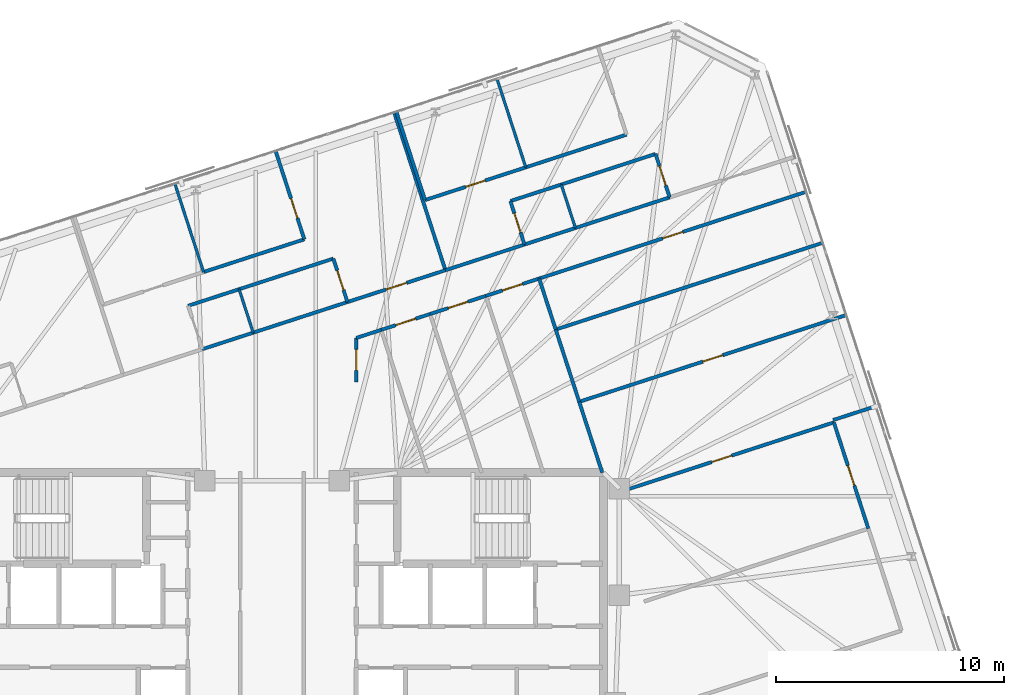
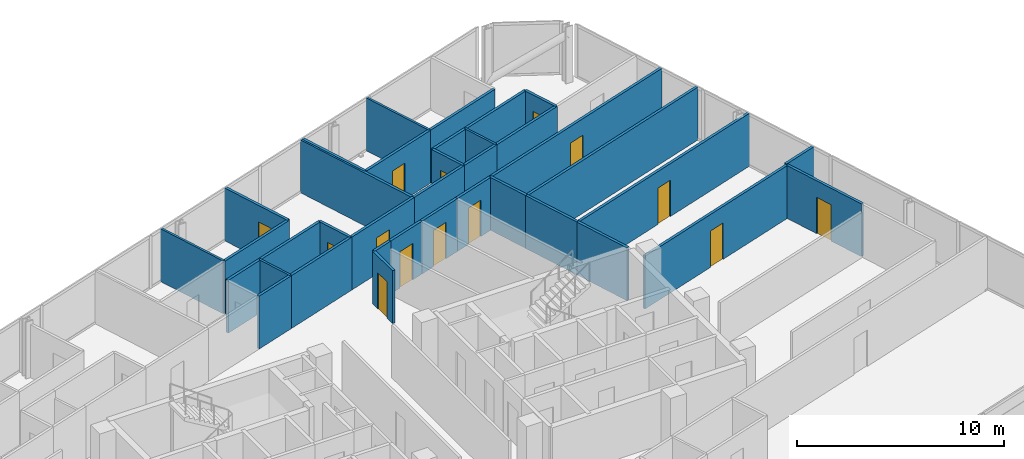
# One storey, part 17 of 20: 37 walls, 14 doors, 14 openings.
"""IFC4 building model written with IfcOpenShell, lengths in metres."""

from ifc_helpers import new_model, si_unit, direction, frame, frame_2d, origin, place, context, subcontext, project, spatial, rectangle, extrude, material, layer, layer_set, type_object, element, fill, save


model = new_model("IFC4")

# Units and contexts
model_context = context("Model", 3, precision=1e-05, world=origin(), true_north=direction((0.0, 1.0)))
body_context = subcontext(model_context, "Body", "Model", "MODEL_VIEW")
ifc_project = project(units=[si_unit("LENGTHUNIT", "METRE"), si_unit("AREAUNIT", "SQUARE_METRE"), si_unit("VOLUMEUNIT", "CUBIC_METRE"), si_unit("PLANEANGLEUNIT", "RADIAN"), si_unit("MASSUNIT", "GRAM", prefix="KILO")], contexts=[model_context])

# Site, building, storey
site_placement = place(None, origin())
site = spatial("IfcSite", under=ifc_project, at=site_placement, CompositionType="ELEMENT")
building_placement = place(site_placement, origin())
building = spatial("IfcBuilding", under=site, at=building_placement, Name="Menara Jurai Vektor", CompositionType="ELEMENT")
storey_placement = place(building_placement, frame((0.0, 0.0, 224.300048828125)))
storey = spatial("IfcBuildingStorey", under=building, at=storey_placement, Name="L59", CompositionType="ELEMENT", Elevation=224.300048828125)

# Wall, opening, door
ifc_material_1 = material(Name="Gypsum Fireboard Partition", Category="gypsum")
ifc_layer_1 = layer(ifc_material_1, 0.14990234375)
ifc_layer_set_1 = layer_set([ifc_layer_1], Name="Gypsum Fireboard Partition")
wall_type_1 = type_object("IfcWallType", Name="INT-WALL-CORR-150", PredefinedType="PARTITIONING", material=ifc_layer_set_1)
wall_1_placement = place(storey_placement, frame((3.31396484375, 13.092041015625, 0.0), z_axis=(0.0, 0.0, 1.0), x_axis=(0.951068976929, 0.308978641858, 0.0)))
wall_1 = element("IfcWall", 1, at=wall_1_placement, inside=storey, type_object=wall_type_1, Name="Interior Wall IW-150 L59", PredefinedType="PARTITIONING", context=body_context, shape_type="SweptSolid", body=[
    extrude(rectangle(XDim=4.52197265625, YDim=0.14990234375, at=frame_2d((2.260986328125, 0.0))), origin(), (0.0, 0.0, 1.0), 3.125),
])
opening_1_placement = place(wall_1_placement, frame((1.785888671875, 0.0, 0.0)))
opening_1 = element("IfcOpeningElement", 2, at=opening_1_placement, cuts=wall_1, Name="Opening D59-20", PredefinedType="OPENING", context=body_context, shape_type="SweptSolid", body=[
    extrude(rectangle(XDim=0.949951171875, YDim=2.14990234375, at=frame_2d((0.47509765625, 1.074951171875))), frame((0.0, 0.0849609375, 0.0), z_axis=(0.0, -1.0, 0.0), x_axis=(1.0, 0.0, 0.0)), (0.0, 0.0, 1.0), 0.169921875),
])
ifc_material_2 = material(Name="Solid Core Timber Fire Door", Category="wood")
door_type_1 = type_object("IfcDoorType", Name="DR-ENTRY-950", OperationType="NOTDEFINED", PredefinedType="DOOR", material=ifc_material_2)
door_1_placement = place(opening_1_placement, origin())
door_1 = element("IfcDoor", 3, at=door_1_placement, inside=storey, type_object=door_type_1, Name="Interior Door D59-20", OperationType="SINGLE_SWING_RIGHT", OverallHeight=2.14990234375, OverallWidth=0.949951171875, PredefinedType="DOOR", context=body_context, shape_type="SweptSolid", body=[
    extrude(rectangle(XDim=0.949951171875, YDim=2.14990234375, at=frame_2d((0.47509765625, 1.074951171875))), frame((0.0, 0.02490234375, 0.0), z_axis=(0.0, -1.0, 0.0), x_axis=(1.0, 0.0, 0.0)), (0.0, 0.0, 1.0), 0.050048828125),
])
fill(opening_1, door_1)

# Walls
wall_2_placement = place(storey_placement, frame((-3.05810546875, 11.021484375, 0.0), z_axis=(0.0, 0.0, 1.0), x_axis=(0.951045519245, 0.309050837767, 0.0)))
element("IfcWall", 4, at=wall_2_placement, inside=storey, type_object=wall_type_1, Name="Interior Wall IW-150 L59", PredefinedType="PARTITIONING", context=body_context, shape_type="SweptSolid", body=[
    extrude(rectangle(XDim=2.35009765625, YDim=0.14990234375, at=frame_2d((1.175048828125, 0.0))), origin(), (0.0, 0.0, 1.0), 3.125),
])
wall_3_placement = place(storey_placement, frame((-0.822998046875, 11.747802734375, 0.0), z_axis=(0.0, 0.0, 1.0), x_axis=(0.951052627573, 0.309028962374, 0.0)))
element("IfcWall", 5, at=wall_3_placement, inside=storey, type_object=wall_type_1, Name="Interior Wall IW-150 L59", PredefinedType="PARTITIONING", context=body_context, shape_type="SweptSolid", body=[
    extrude(rectangle(XDim=4.349853515625, YDim=0.14990234375, at=frame_2d((2.1748046875, 0.0))), origin(), (0.0, 0.0, 1.0), 3.125),
])
wall_4_placement = place(storey_placement, frame((7.61474609375, 14.4892578125, 0.0), z_axis=(0.0, 0.0, 1.0), x_axis=(0.951050780541, 0.309034646652, 0.0)))
element("IfcWall", 6, at=wall_4_placement, inside=storey, type_object=wall_type_1, Name="Interior Wall IW-150 L59", PredefinedType="PARTITIONING", context=body_context, shape_type="SweptSolid", body=[
    extrude(rectangle(XDim=3.64990234375, YDim=0.14990234375, at=frame_2d((1.824951171875, 0.0))), origin(), (0.0, 0.0, 1.0), 3.125),
])
wall_5_placement = place(storey_placement, frame((11.0859375, 15.6171875, 0.0), z_axis=(0.0, 0.0, 1.0), x_axis=(0.951045519245, 0.309050837767, 0.0)))
element("IfcWall", 7, at=wall_5_placement, inside=storey, type_object=wall_type_1, Name="Interior Wall IW-150 L59", PredefinedType="PARTITIONING", context=body_context, shape_type="SweptSolid", body=[
    extrude(rectangle(XDim=2.35009765625, YDim=0.14990234375, at=frame_2d((1.175048828125, 0.0))), origin(), (0.0, 0.0, 1.0), 3.125),
])
wall_6_placement = place(storey_placement, frame((13.321044921875, 16.343505859375, 0.0), z_axis=(0.0, 0.0, 1.0), x_axis=(0.951052627573, 0.309028962374, 0.0)))
element("IfcWall", 8, at=wall_6_placement, inside=storey, type_object=wall_type_1, Name="Interior Wall IW-150 L59", PredefinedType="PARTITIONING", context=body_context, shape_type="SweptSolid", body=[
    extrude(rectangle(XDim=4.349853515625, YDim=0.14990234375, at=frame_2d((2.1748046875, 0.0))), origin(), (0.0, 0.0, 1.0), 3.125),
])

# Wall, opening, door
wall_7_placement = place(storey_placement, frame((3.7001953125, 9.58984375, 0.0), z_axis=(0.0, 0.0, 1.0), x_axis=(-0.000380662325, 0.999999927548, 0.0)))
wall_7 = element("IfcWall", 9, at=wall_7_placement, inside=storey, type_object=wall_type_1, Name="Interior Wall IW-150 L59", PredefinedType="PARTITIONING", context=body_context, shape_type="SweptSolid", body=[
    extrude(rectangle(XDim=1.924072265625, YDim=0.14990234375, at=frame_2d((0.9619140625, 0.0))), origin(), (0.0, 0.0, 1.0), 3.125),
])
opening_2_placement = place(wall_7_placement, frame((0.501953125, 0.0, 0.0)))
opening_2 = element("IfcOpeningElement", 10, at=opening_2_placement, cuts=wall_7, Name="Opening D59-50", PredefinedType="OPENING", context=body_context, shape_type="SweptSolid", body=[
    extrude(rectangle(XDim=0.919921875, YDim=2.14990234375, at=frame_2d((0.4599609375, 1.074951171875))), frame((0.0, 0.0849609375, 0.0), z_axis=(0.0, -1.0, 0.0), x_axis=(1.0, 0.0, 0.0)), (0.0, 0.0, 1.0), 0.169921875),
])
door_2_placement = place(opening_2_placement, origin())
door_2 = element("IfcDoor", 11, at=door_2_placement, inside=storey, type_object=door_type_1, Name="Interior Door D59-50", OperationType="SINGLE_SWING_RIGHT", OverallHeight=2.14990234375, OverallWidth=0.919921875, PredefinedType="DOOR", context=body_context, shape_type="SweptSolid", body=[
    extrude(rectangle(XDim=0.919921875, YDim=2.14990234375, at=frame_2d((0.4599609375, 1.074951171875))), frame((0.0, 0.02490234375, 0.0), z_axis=(0.0, -1.0, 0.0), x_axis=(1.0, 0.0, 0.0)), (0.0, 0.0, 1.0), 0.050048828125),
])
fill(opening_2, door_2)

# Wall
wall_8_placement = place(storey_placement, frame((3.699462890625, 11.513916015625, 0.0), z_axis=(0.0, 0.0, 1.0), x_axis=(0.951071437281, 0.308971068529, 0.0)))
element("IfcWall", 12, at=wall_8_placement, inside=storey, type_object=wall_type_1, Name="Interior Wall IW-150 L59", PredefinedType="PARTITIONING", context=body_context, shape_type="SweptSolid", body=[
    extrude(rectangle(XDim=1.152099609375, YDim=0.14990234375, at=frame_2d((0.576171875, 0.0))), origin(), (0.0, 0.0, 1.0), 3.125),
])

# Wall, opening, door
wall_9_placement = place(storey_placement, frame((4.795166015625, 11.869873046875, 0.0), z_axis=(0.0, 0.0, 1.0), x_axis=(0.951065832698, 0.308988319964, 0.0)))
wall_9 = element("IfcWall", 13, at=wall_9_placement, inside=storey, type_object=wall_type_1, Name="Interior Wall IW-150 L59", PredefinedType="PARTITIONING", context=body_context, shape_type="SweptSolid", body=[
    extrude(rectangle(XDim=2.259033203125, YDim=0.14990234375, at=frame_2d((1.12939453125, 0.0))), origin(), (0.0, 0.0, 1.0), 3.125),
])
opening_3_placement = place(wall_9_placement, frame((0.66943359375, 0.0, 0.0)))
opening_3 = element("IfcOpeningElement", 14, at=opening_3_placement, cuts=wall_9, Name="Opening D59-51", PredefinedType="OPENING", context=body_context, shape_type="SweptSolid", body=[
    extrude(rectangle(XDim=0.919921875, YDim=2.14990234375, at=frame_2d((0.4599609375, 1.074951171875))), frame((0.0, 0.0849609375, 0.0), z_axis=(0.0, -1.0, 0.0), x_axis=(1.0, 0.0, 0.0)), (0.0, 0.0, 1.0), 0.169921875),
])
door_3_placement = place(opening_3_placement, origin())
door_3 = element("IfcDoor", 15, at=door_3_placement, inside=storey, type_object=door_type_1, Name="Interior Door D59-51", OperationType="SINGLE_SWING_LEFT", OverallHeight=2.14990234375, OverallWidth=0.919921875, PredefinedType="DOOR", context=body_context, shape_type="SweptSolid", body=[
    extrude(rectangle(XDim=0.919921875, YDim=2.14990234375, at=frame_2d((0.4599609375, 1.074951171875))), frame((0.0, 0.02490234375, 0.0), z_axis=(0.0, -1.0, 0.0), x_axis=(1.0, 0.0, 0.0)), (0.0, 0.0, 1.0), 0.050048828125),
])
fill(opening_3, door_3)

wall_10_placement = place(storey_placement, frame((6.943603515625, 12.56787109375, 0.0), z_axis=(0.0, 0.0, 1.0), x_axis=(0.951042451835, 0.309060276981, 0.0)))
wall_10 = element("IfcWall", 16, at=wall_10_placement, inside=storey, type_object=wall_type_1, Name="Interior Wall IW-150 L59", PredefinedType="PARTITIONING", context=body_context, shape_type="SweptSolid", body=[
    extrude(rectangle(XDim=2.568115234375, YDim=0.14990234375, at=frame_2d((1.2841796875, 0.0))), origin(), (0.0, 0.0, 1.0), 3.125),
])
opening_4_placement = place(wall_10_placement, frame((0.823974609375, 0.0, 0.0)))
opening_4 = element("IfcOpeningElement", 17, at=opening_4_placement, cuts=wall_10, Name="Opening D59-52", PredefinedType="OPENING", context=body_context, shape_type="SweptSolid", body=[
    extrude(rectangle(XDim=0.919921875, YDim=2.14990234375, at=frame_2d((0.4599609375, 1.074951171875))), frame((0.0, 0.0849609375, 0.0), z_axis=(0.0, -1.0, 0.0), x_axis=(1.0, 0.0, 0.0)), (0.0, 0.0, 1.0), 0.169921875),
])
door_4_placement = place(opening_4_placement, origin())
door_4 = element("IfcDoor", 18, at=door_4_placement, inside=storey, type_object=door_type_1, Name="Interior Door D59-52", OperationType="SINGLE_SWING_RIGHT", OverallHeight=2.14990234375, OverallWidth=0.919921875, PredefinedType="DOOR", context=body_context, shape_type="SweptSolid", body=[
    extrude(rectangle(XDim=0.919921875, YDim=2.14990234375, at=frame_2d((0.4599609375, 1.074951171875))), frame((0.0, 0.02490234375, 0.0), z_axis=(0.0, -1.0, 0.0), x_axis=(1.0, 0.0, 0.0)), (0.0, 0.0, 1.0), 0.050048828125),
])
fill(opening_4, door_4)

wall_11_placement = place(storey_placement, frame((9.385986328125, 13.361572265625, 0.0), z_axis=(0.0, 0.0, 1.0), x_axis=(0.951052991774, 0.309027841526, 0.0)))
wall_11 = element("IfcWall", 19, at=wall_11_placement, inside=storey, type_object=wall_type_1, Name="Interior Wall IW-150 L59", PredefinedType="PARTITIONING", context=body_context, shape_type="SweptSolid", body=[
    extrude(rectangle(XDim=2.46484375, YDim=0.14990234375, at=frame_2d((1.232421875, 0.0))), origin(), (0.0, 0.0, 1.0), 3.125),
])
opening_5_placement = place(wall_11_placement, frame((0.7724609375, 0.0, 0.0)))
opening_5 = element("IfcOpeningElement", 20, at=opening_5_placement, cuts=wall_11, Name="Opening D59-53", PredefinedType="OPENING", context=body_context, shape_type="SweptSolid", body=[
    extrude(rectangle(XDim=0.919921875, YDim=2.14990234375, at=frame_2d((0.4599609375, 1.074951171875))), frame((0.0, 0.0849609375, 0.0), z_axis=(0.0, -1.0, 0.0), x_axis=(1.0, 0.0, 0.0)), (0.0, 0.0, 1.0), 0.169921875),
])
door_5_placement = place(opening_5_placement, origin())
door_5 = element("IfcDoor", 21, at=door_5_placement, inside=storey, type_object=door_type_1, Name="Interior Door D59-53", OperationType="SINGLE_SWING_LEFT", OverallHeight=2.14990234375, OverallWidth=0.919921875, PredefinedType="DOOR", context=body_context, shape_type="SweptSolid", body=[
    extrude(rectangle(XDim=0.919921875, YDim=2.14990234375, at=frame_2d((0.4599609375, 1.074951171875))), frame((0.0, 0.02490234375, 0.0), z_axis=(0.0, -1.0, 0.0), x_axis=(1.0, 0.0, 0.0)), (0.0, 0.0, 1.0), 0.050048828125),
])
fill(opening_5, door_5)

wall_12_placement = place(storey_placement, frame((26.18212890625, 3.144775390625, 0.0), z_axis=(0.0, 0.0, 1.0), x_axis=(-0.309019653166, 0.951055652397, 0.0)))
wall_12 = element("IfcWall", 22, at=wall_12_placement, inside=storey, type_object=wall_type_1, Name="Interior Wall IW-150 L59", PredefinedType="PARTITIONING", context=body_context, shape_type="SweptSolid", body=[
    extrude(rectangle(XDim=4.90380859375, YDim=0.14990234375, at=frame_2d((2.451904296875, 0.0))), origin(), (0.0, 0.0, 1.0), 3.125),
])
opening_6_placement = place(wall_12_placement, frame((1.991943359375, 0.0, 0.0)))
opening_6 = element("IfcOpeningElement", 23, at=opening_6_placement, cuts=wall_12, Name="Opening D59-55", PredefinedType="OPENING", context=body_context, shape_type="SweptSolid", body=[
    extrude(rectangle(XDim=0.919921875, YDim=2.14990234375, at=frame_2d((0.4599609375, 1.074951171875))), frame((0.0, 0.0849609375, 0.0), z_axis=(0.0, -1.0, 0.0), x_axis=(1.0, 0.0, 0.0)), (0.0, 0.0, 1.0), 0.169921875),
])
door_6_placement = place(opening_6_placement, origin())
door_6 = element("IfcDoor", 24, at=door_6_placement, inside=storey, type_object=door_type_1, Name="Interior Door D59-55", OperationType="SINGLE_SWING_LEFT", OverallHeight=2.14990234375, OverallWidth=0.919921875, PredefinedType="DOOR", context=body_context, shape_type="SweptSolid", body=[
    extrude(rectangle(XDim=0.919921875, YDim=2.14990234375, at=frame_2d((0.4599609375, 1.074951171875))), frame((0.0, 0.02490234375, 0.0), z_axis=(0.0, -1.0, 0.0), x_axis=(1.0, 0.0, 0.0)), (0.0, 0.0, 1.0), 0.050048828125),
])
fill(opening_6, door_6)

# Wall
wall_13_placement = place(storey_placement, frame((24.633544921875, 7.910400390625, 0.0), z_axis=(0.0, 0.0, 1.0), x_axis=(0.951054051148, 0.309024581215, 0.0)))
element("IfcWall", 25, at=wall_13_placement, inside=storey, type_object=wall_type_1, Name="Interior Wall IW-150 L59", PredefinedType="PARTITIONING", context=body_context, shape_type="SweptSolid", body=[
    extrude(rectangle(XDim=1.97509765625, YDim=0.14990234375, at=frame_2d((0.987548828125, 0.0))), origin(), (0.0, 0.0, 1.0), 3.125),
])

# Wall, opening, door
wall_14_placement = place(storey_placement, frame((11.730224609375, 14.123291015625, 0.0), z_axis=(0.0, 0.0, 1.0), x_axis=(0.951060263663, 0.309005460926, 0.0)))
wall_14 = element("IfcWall", 26, at=wall_14_placement, inside=storey, type_object=wall_type_1, Name="Interior Wall IW-150 L59", PredefinedType="PARTITIONING", context=body_context, shape_type="SweptSolid", body=[
    extrude(rectangle(XDim=12.326904296875, YDim=0.14990234375, at=frame_2d((6.16357421875, 0.0))), origin(), (0.0, 0.0, 1.0), 3.125),
])
opening_7_placement = place(wall_14_placement, frame((5.70361328125, 0.0, 0.0)))
opening_7 = element("IfcOpeningElement", 27, at=opening_7_placement, cuts=wall_14, Name="Opening D59-58", PredefinedType="OPENING", context=body_context, shape_type="SweptSolid", body=[
    extrude(rectangle(XDim=0.919921875, YDim=2.14990234375, at=frame_2d((0.4599609375, 1.074951171875))), frame((0.0, 0.0849609375, 0.0), z_axis=(0.0, -1.0, 0.0), x_axis=(1.0, 0.0, 0.0)), (0.0, 0.0, 1.0), 0.169921875),
])
door_7_placement = place(opening_7_placement, origin())
door_7 = element("IfcDoor", 28, at=door_7_placement, inside=storey, type_object=door_type_1, Name="Interior Door D59-58", OperationType="SINGLE_SWING_RIGHT", OverallHeight=2.14990234375, OverallWidth=0.919921875, PredefinedType="DOOR", context=body_context, shape_type="SweptSolid", body=[
    extrude(rectangle(XDim=0.919921875, YDim=2.14990234375, at=frame_2d((0.4599609375, 1.074951171875))), frame((0.0, 0.02490234375, 0.0), z_axis=(0.0, -1.0, 0.0), x_axis=(1.0, 0.0, 0.0)), (0.0, 0.0, 1.0), 0.050048828125),
])
fill(opening_7, door_7)

# Walls
wall_15_placement = place(storey_placement, frame((-3.677734375, 12.928466796875, 0.0), z_axis=(0.0, 0.0, 1.0), x_axis=(0.951076048914, 0.308956872689, 0.0)))
element("IfcWall", 29, at=wall_15_placement, inside=storey, type_object=wall_type_1, Name="Interior Wall IW-150 L59", PredefinedType="PARTITIONING", context=body_context, shape_type="SweptSolid", body=[
    extrude(rectangle(XDim=2.35009765625, YDim=0.14990234375, at=frame_2d((1.175048828125, 0.0))), origin(), (0.0, 0.0, 1.0), 3.125),
])
wall_16_placement = place(storey_placement, frame((-1.442626953125, 13.654541015625, 0.0), z_axis=(0.0, 0.0, 1.0), x_axis=(0.951052627573, 0.309028962374, 0.0)))
element("IfcWall", 30, at=wall_16_placement, inside=storey, type_object=wall_type_1, Name="Interior Wall IW-150 L59", PredefinedType="PARTITIONING", context=body_context, shape_type="SweptSolid", body=[
    extrude(rectangle(XDim=4.349853515625, YDim=0.14990234375, at=frame_2d((2.1748046875, 0.0))), origin(), (0.0, 0.0, 1.0), 3.125),
])

# Wall, opening, door
wall_17_placement = place(storey_placement, frame((3.31396484375, 13.092041015625, 0.0), z_axis=(0.0, 0.0, 1.0), x_axis=(-0.309058537449, 0.951043017129, 0.0)))
wall_17 = element("IfcWall", 31, at=wall_17_placement, inside=storey, type_object=wall_type_1, Name="Interior Wall IW-150 L59", PredefinedType="PARTITIONING", context=body_context, shape_type="SweptSolid", body=[
    extrude(rectangle(XDim=2.0048828125, YDim=0.14990234375, at=frame_2d((1.00244140625, 0.0))), origin(), (0.0, 0.0, 1.0), 3.125),
])
opening_8_placement = place(wall_17_placement, frame((0.552490234375, 0.0, 0.0)))
opening_8 = element("IfcOpeningElement", 32, at=opening_8_placement, cuts=wall_17, Name="Opening D59-22", PredefinedType="OPENING", context=body_context, shape_type="SweptSolid", body=[
    extrude(rectangle(XDim=0.89990234375, YDim=2.14990234375, at=frame_2d((0.449951171875, 1.074951171875))), frame((0.0, 0.0849609375, 0.0), z_axis=(0.0, -1.0, 0.0), x_axis=(1.0, 0.0, 0.0)), (0.0, 0.0, 1.0), 0.169921875),
])
ifc_material_3 = material(Name="Acoustic Timber Interior Door", Category="wood")
door_type_2 = type_object("IfcDoorType", Name="DR-ROOM-900", OperationType="NOTDEFINED", PredefinedType="DOOR", material=ifc_material_3)
door_8_placement = place(opening_8_placement, origin())
door_8 = element("IfcDoor", 33, at=door_8_placement, inside=storey, type_object=door_type_2, Name="Interior Door D59-22", OperationType="SINGLE_SWING_RIGHT", OverallHeight=2.14990234375, OverallWidth=0.89990234375, PredefinedType="DOOR", context=body_context, shape_type="SweptSolid", body=[
    extrude(rectangle(XDim=0.89990234375, YDim=2.14990234375, at=frame_2d((0.449951171875, 1.074951171875))), frame((0.0, 0.02490234375, 0.0), z_axis=(0.0, -1.0, 0.0), x_axis=(1.0, 0.0, 0.0)), (0.0, 0.0, 1.0), 0.050048828125),
])
fill(opening_8, door_8)

# Wall
wall_18_placement = place(storey_placement, frame((-3.002197265625, 14.40966796875, 0.0), z_axis=(0.0, 0.0, 1.0), x_axis=(0.951065702951, 0.308988719326, 0.0)))
element("IfcWall", 34, at=wall_18_placement, inside=storey, type_object=wall_type_1, Name="Interior Wall IW-150 L59", PredefinedType="PARTITIONING", context=body_context, shape_type="SweptSolid", body=[
    extrude(rectangle(XDim=4.64990234375, YDim=0.14990234375, at=frame_2d((2.324951171875, 0.0))), origin(), (0.0, 0.0, 1.0), 3.125),
])

# Wall, opening, door
wall_19_placement = place(storey_placement, frame((1.420166015625, 15.846435546875, 0.0), z_axis=(0.0, 0.0, 1.0), x_axis=(-0.309018403393, 0.951056058476, 0.0)))
wall_19 = element("IfcWall", 35, at=wall_19_placement, inside=storey, type_object=wall_type_1, Name="Interior Wall IW-150 L59", PredefinedType="PARTITIONING", context=body_context, shape_type="SweptSolid", body=[
    extrude(rectangle(XDim=4.0791015625, YDim=0.14990234375, at=frame_2d((2.03955078125, 0.0))), origin(), (0.0, 0.0, 1.0), 3.125),
])
opening_9_placement = place(wall_19_placement, frame((0.977783203125, 0.0, 0.0)))
opening_9 = element("IfcOpeningElement", 36, at=opening_9_placement, cuts=wall_19, Name="Opening D59-24", PredefinedType="OPENING", context=body_context, shape_type="SweptSolid", body=[
    extrude(rectangle(XDim=0.89990234375, YDim=2.14990234375, at=frame_2d((0.449951171875, 1.074951171875))), frame((0.0, 0.0849609375, 0.0), z_axis=(0.0, -1.0, 0.0), x_axis=(1.0, 0.0, 0.0)), (0.0, 0.0, 1.0), 0.169921875),
])
door_9_placement = place(opening_9_placement, origin())
door_9 = element("IfcDoor", 37, at=door_9_placement, inside=storey, type_object=door_type_2, Name="Interior Door D59-24", OperationType="SINGLE_SWING_RIGHT", OverallHeight=2.14990234375, OverallWidth=0.89990234375, PredefinedType="DOOR", context=body_context, shape_type="SweptSolid", body=[
    extrude(rectangle(XDim=0.89990234375, YDim=2.14990234375, at=frame_2d((0.449951171875, 1.074951171875))), frame((0.0, 0.02490234375, 0.0), z_axis=(0.0, -1.0, 0.0), x_axis=(1.0, 0.0, 0.0)), (0.0, 0.0, 1.0), 0.050048828125),
])
fill(opening_9, door_9)

# Wall
wall_20_placement = place(storey_placement, frame((7.61474609375, 14.4892578125, 0.0), z_axis=(0.0, 0.0, 1.0), x_axis=(-0.309029230739, 0.951052540372, 0.0)))
element("IfcWall", 38, at=wall_20_placement, inside=storey, type_object=wall_type_1, Name="Interior Wall IW-150 L59", PredefinedType="PARTITIONING", context=body_context, shape_type="SweptSolid", body=[
    extrude(rectangle(XDim=7.283935546875, YDim=0.14990234375, at=frame_2d((3.64208984375, 0.0))), origin(), (0.0, 0.0, 1.0), 3.125),
])

# Wall, opening, door
wall_21_placement = place(storey_placement, frame((11.0859375, 15.6171875, 0.0), z_axis=(0.0, 0.0, 1.0), x_axis=(-0.309022749039, 0.951054646472, 0.0)))
wall_21 = element("IfcWall", 39, at=wall_21_placement, inside=storey, type_object=wall_type_1, Name="Interior Wall IW-150 L59", PredefinedType="PARTITIONING", context=body_context, shape_type="SweptSolid", body=[
    extrude(rectangle(XDim=2.005126953125, YDim=0.14990234375, at=frame_2d((1.00244140625, 0.0))), origin(), (0.0, 0.0, 1.0), 3.125),
])
opening_10_placement = place(wall_21_placement, frame((0.5625, 0.0, 0.0)))
opening_10 = element("IfcOpeningElement", 40, at=opening_10_placement, cuts=wall_21, Name="Opening D59-26", PredefinedType="OPENING", context=body_context, shape_type="SweptSolid", body=[
    extrude(rectangle(XDim=0.8798828125, YDim=2.14990234375, at=frame_2d((0.43994140625, 1.074951171875))), frame((0.0, 0.0849609375, 0.0), z_axis=(0.0, -1.0, 0.0), x_axis=(1.0, 0.0, 0.0)), (0.0, 0.0, 1.0), 0.169921875),
])
ifc_material_4 = material(Name="Moisture-Resistant Timber Door", Category="wood")
door_type_3 = type_object("IfcDoorType", Name="DR-BATH-880", OperationType="NOTDEFINED", PredefinedType="DOOR", material=ifc_material_4)
door_10_placement = place(opening_10_placement, origin())
door_10 = element("IfcDoor", 41, at=door_10_placement, inside=storey, type_object=door_type_3, Name="Interior Door D59-26", OperationType="SINGLE_SWING_RIGHT", OverallHeight=2.14990234375, OverallWidth=0.8798828125, PredefinedType="DOOR", context=body_context, shape_type="SweptSolid", body=[
    extrude(rectangle(XDim=0.8798828125, YDim=2.14990234375, at=frame_2d((0.43994140625, 1.074951171875))), frame((0.0, 0.02490234375, 0.0), z_axis=(0.0, -1.0, 0.0), x_axis=(1.0, 0.0, 0.0)), (0.0, 0.0, 1.0), 0.050048828125),
])
fill(opening_10, door_10)

# Walls
wall_22_placement = place(storey_placement, frame((10.46630859375, 17.524169921875, 0.0), z_axis=(0.0, 0.0, 1.0), x_axis=(0.951076048914, 0.308956872689, 0.0)))
element("IfcWall", 42, at=wall_22_placement, inside=storey, type_object=wall_type_1, Name="Interior Wall IW-150 L59", PredefinedType="PARTITIONING", context=body_context, shape_type="SweptSolid", body=[
    extrude(rectangle(XDim=2.35009765625, YDim=0.14990234375, at=frame_2d((1.175048828125, 0.0))), origin(), (0.0, 0.0, 1.0), 3.125),
])
wall_23_placement = place(storey_placement, frame((12.701416015625, 18.250244140625, 0.0), z_axis=(0.0, 0.0, 1.0), x_axis=(0.951052627573, 0.309028962374, 0.0)))
element("IfcWall", 43, at=wall_23_placement, inside=storey, type_object=wall_type_1, Name="Interior Wall IW-150 L59", PredefinedType="PARTITIONING", context=body_context, shape_type="SweptSolid", body=[
    extrude(rectangle(XDim=4.349853515625, YDim=0.14990234375, at=frame_2d((2.1748046875, 0.0))), origin(), (0.0, 0.0, 1.0), 3.125),
])

# Wall, opening, door
wall_24_placement = place(storey_placement, frame((17.4580078125, 17.687744140625, 0.0), z_axis=(0.0, 0.0, 1.0), x_axis=(-0.309058537449, 0.951043017129, 0.0)))
wall_24 = element("IfcWall", 44, at=wall_24_placement, inside=storey, type_object=wall_type_1, Name="Interior Wall IW-150 L59", PredefinedType="PARTITIONING", context=body_context, shape_type="SweptSolid", body=[
    extrude(rectangle(XDim=2.0048828125, YDim=0.14990234375, at=frame_2d((1.00244140625, 0.0))), origin(), (0.0, 0.0, 1.0), 3.125),
])
opening_11_placement = place(wall_24_placement, frame((0.552490234375, 0.0, 0.0)))
opening_11 = element("IfcOpeningElement", 45, at=opening_11_placement, cuts=wall_24, Name="Opening D59-27", PredefinedType="OPENING", context=body_context, shape_type="SweptSolid", body=[
    extrude(rectangle(XDim=0.89990234375, YDim=2.14990234375, at=frame_2d((0.449951171875, 1.074951171875))), frame((0.0, 0.0849609375, 0.0), z_axis=(0.0, -1.0, 0.0), x_axis=(1.0, 0.0, 0.0)), (0.0, 0.0, 1.0), 0.169921875),
])
door_11_placement = place(opening_11_placement, origin())
door_11 = element("IfcDoor", 46, at=door_11_placement, inside=storey, type_object=door_type_2, Name="Interior Door D59-27", OperationType="SINGLE_SWING_LEFT", OverallHeight=2.14990234375, OverallWidth=0.89990234375, PredefinedType="DOOR", context=body_context, shape_type="SweptSolid", body=[
    extrude(rectangle(XDim=0.89990234375, YDim=2.14990234375, at=frame_2d((0.449951171875, 1.074951171875))), frame((0.0, 0.02490234375, 0.0), z_axis=(0.0, -1.0, 0.0), x_axis=(1.0, 0.0, 0.0)), (0.0, 0.0, 1.0), 0.050048828125),
])
fill(opening_11, door_11)

# Wall
wall_25_placement = place(storey_placement, frame((6.719482421875, 17.568359375, 0.0), z_axis=(0.0, 0.0, 1.0), x_axis=(-0.309018403393, 0.951056058476, 0.0)))
element("IfcWall", 47, at=wall_25_placement, inside=storey, type_object=wall_type_1, Name="Interior Wall IW-150 L59", PredefinedType="PARTITIONING", context=body_context, shape_type="SweptSolid", body=[
    extrude(rectangle(XDim=4.0791015625, YDim=0.14990234375, at=frame_2d((2.03955078125, 0.0))), origin(), (0.0, 0.0, 1.0), 3.125),
])

# Wall, opening, door
wall_26_placement = place(storey_placement, frame((6.719482421875, 17.568359375, 0.0), z_axis=(0.0, 0.0, 1.0), x_axis=(0.951050272606, 0.309036209813, 0.0)))
wall_26 = element("IfcWall", 48, at=wall_26_placement, inside=storey, type_object=wall_type_1, Name="Interior Wall IW-150 L59", PredefinedType="PARTITIONING", context=body_context, shape_type="SweptSolid", body=[
    extrude(rectangle(XDim=4.64990234375, YDim=0.14990234375, at=frame_2d((2.324951171875, 0.0))), origin(), (0.0, 0.0, 1.0), 3.125),
])
opening_12_placement = place(wall_26_placement, frame((1.875, 0.0, 0.0)))
opening_12 = element("IfcOpeningElement", 49, at=opening_12_placement, cuts=wall_26, Name="Opening D59-28", PredefinedType="OPENING", context=body_context, shape_type="SweptSolid", body=[
    extrude(rectangle(XDim=0.89990234375, YDim=2.14990234375, at=frame_2d((0.449951171875, 1.074951171875))), frame((0.0, 0.0849609375, 0.0), z_axis=(0.0, -1.0, 0.0), x_axis=(1.0, 0.0, 0.0)), (0.0, 0.0, 1.0), 0.169921875),
])
door_12_placement = place(opening_12_placement, origin())
door_12 = element("IfcDoor", 50, at=door_12_placement, inside=storey, type_object=door_type_2, Name="Interior Door D59-28", OperationType="SINGLE_SWING_RIGHT", OverallHeight=2.14990234375, OverallWidth=0.89990234375, PredefinedType="DOOR", context=body_context, shape_type="SweptSolid", body=[
    extrude(rectangle(XDim=0.89990234375, YDim=2.14990234375, at=frame_2d((0.449951171875, 1.074951171875))), frame((0.0, 0.02490234375, 0.0), z_axis=(0.0, -1.0, 0.0), x_axis=(1.0, 0.0, 0.0)), (0.0, 0.0, 1.0), 0.050048828125),
])
fill(opening_12, door_12)

# Walls
wall_27_placement = place(storey_placement, frame((11.141845703125, 19.00537109375, 0.0), z_axis=(0.0, 0.0, 1.0), x_axis=(0.951065702951, 0.308988719326, 0.0)))
element("IfcWall", 51, at=wall_27_placement, inside=storey, type_object=wall_type_1, Name="Interior Wall IW-150 L59", PredefinedType="PARTITIONING", context=body_context, shape_type="SweptSolid", body=[
    extrude(rectangle(XDim=4.64990234375, YDim=0.14990234375, at=frame_2d((2.324951171875, 0.0))), origin(), (0.0, 0.0, 1.0), 3.125),
])
wall_28_placement = place(storey_placement, frame((14.49951171875, 5.599853515625, 0.0), z_axis=(0.0, 0.0, 1.0), x_axis=(-0.309015253813, 0.951057081836, 0.0)))
element("IfcWall", 52, at=wall_28_placement, inside=storey, type_object=wall_type_1, Name="Interior Wall IW-150 L59", PredefinedType="PARTITIONING", context=body_context, shape_type="SweptSolid", body=[
    extrude(rectangle(XDim=3.27392578125, YDim=0.14990234375, at=frame_2d((1.636962890625, 0.0))), origin(), (0.0, 0.0, 1.0), 3.125),
])
wall_29_placement = place(storey_placement, frame((13.48779296875, 8.713623046875, 0.0), z_axis=(0.0, 0.0, 1.0), x_axis=(-0.308946982245, 0.951079261766, 0.0)))
element("IfcWall", 53, at=wall_29_placement, inside=storey, type_object=wall_type_1, Name="Interior Wall IW-150 L59", PredefinedType="PARTITIONING", context=body_context, shape_type="SweptSolid", body=[
    extrude(rectangle(XDim=3.333984375, YDim=0.14990234375, at=frame_2d((1.6669921875, 0.0))), origin(), (0.0, 0.0, 1.0), 3.125),
])
wall_30_placement = place(storey_placement, frame((12.457763671875, 11.884521484375, 0.0), z_axis=(0.0, 0.0, 1.0), x_axis=(-0.309062621189, 0.951041690035, 0.0)))
element("IfcWall", 54, at=wall_30_placement, inside=storey, type_object=wall_type_1, Name="Interior Wall IW-150 L59", PredefinedType="PARTITIONING", context=body_context, shape_type="SweptSolid", body=[
    extrude(rectangle(XDim=2.35400390625, YDim=0.14990234375, at=frame_2d((1.177001953125, 0.0))), origin(), (0.0, 0.0, 1.0), 3.125),
])

# Wall, opening, door
wall_31_placement = place(storey_placement, frame((14.8212890625, 4.60986328125, 0.0), z_axis=(0.0, 0.0, 1.0), x_axis=(0.951063700751, 0.30899488202, 0.0)))
wall_31 = element("IfcWall", 55, at=wall_31_placement, inside=storey, type_object=wall_type_1, Name="Interior Wall IW-150 L59", PredefinedType="PARTITIONING", context=body_context, shape_type="SweptSolid", body=[
    extrude(rectangle(XDim=10.35205078125, YDim=0.14990234375, at=frame_2d((5.176025390625, 0.0))), origin(), (0.0, 0.0, 1.0), 3.125),
])
opening_13_placement = place(wall_31_placement, frame((4.716064453125, 0.0, 0.0)))
opening_13 = element("IfcOpeningElement", 56, at=opening_13_placement, cuts=wall_31, Name="Opening D59-56", PredefinedType="OPENING", context=body_context, shape_type="SweptSolid", body=[
    extrude(rectangle(XDim=0.919921875, YDim=2.14990234375, at=frame_2d((0.4599609375, 1.074951171875))), frame((0.0, 0.0849609375, 0.0), z_axis=(0.0, -1.0, 0.0), x_axis=(1.0, 0.0, 0.0)), (0.0, 0.0, 1.0), 0.169921875),
])
door_13_placement = place(opening_13_placement, origin())
door_13 = element("IfcDoor", 57, at=door_13_placement, inside=storey, type_object=door_type_1, Name="Interior Door D59-56", OperationType="SINGLE_SWING_RIGHT", OverallHeight=2.14990234375, OverallWidth=0.919921875, PredefinedType="DOOR", context=body_context, shape_type="SweptSolid", body=[
    extrude(rectangle(XDim=0.919921875, YDim=2.14990234375, at=frame_2d((0.4599609375, 1.074951171875))), frame((0.0, 0.02490234375, 0.0), z_axis=(0.0, -1.0, 0.0), x_axis=(1.0, 0.0, 0.0)), (0.0, 0.0, 1.0), 0.050048828125),
])
fill(opening_13, door_13)

wall_32_placement = place(storey_placement, frame((13.48779296875, 8.713623046875, 0.0), z_axis=(0.0, 0.0, 1.0), x_axis=(0.951062154725, 0.308999640533, 0.0)))
wall_32 = element("IfcWall", 58, at=wall_32_placement, inside=storey, type_object=wall_type_1, Name="Interior Wall IW-150 L59", PredefinedType="PARTITIONING", context=body_context, shape_type="SweptSolid", body=[
    extrude(rectangle(XDim=12.3271484375, YDim=0.14990234375, at=frame_2d((6.16357421875, 0.0))), origin(), (0.0, 0.0, 1.0), 3.125),
])
opening_14_placement = place(wall_32_placement, frame((5.70361328125, 0.0, 0.0)))
opening_14 = element("IfcOpeningElement", 59, at=opening_14_placement, cuts=wall_32, Name="Opening D59-57", PredefinedType="OPENING", context=body_context, shape_type="SweptSolid", body=[
    extrude(rectangle(XDim=0.919921875, YDim=2.14990234375, at=frame_2d((0.4599609375, 1.074951171875))), frame((0.0, 0.0849609375, 0.0), z_axis=(0.0, -1.0, 0.0), x_axis=(1.0, 0.0, 0.0)), (0.0, 0.0, 1.0), 0.169921875),
])
door_14_placement = place(opening_14_placement, origin())
door_14 = element("IfcDoor", 60, at=door_14_placement, inside=storey, type_object=door_type_1, Name="Interior Door D59-57", OperationType="SINGLE_SWING_LEFT", OverallHeight=2.14990234375, OverallWidth=0.919921875, PredefinedType="DOOR", context=body_context, shape_type="SweptSolid", body=[
    extrude(rectangle(XDim=0.919921875, YDim=2.14990234375, at=frame_2d((0.4599609375, 1.074951171875))), frame((0.0, 0.02490234375, 0.0), z_axis=(0.0, -1.0, 0.0), x_axis=(1.0, 0.0, 0.0)), (0.0, 0.0, 1.0), 0.050048828125),
])
fill(opening_14, door_14)

# Walls
wall_33_placement = place(storey_placement, frame((12.457763671875, 11.884521484375, 0.0), z_axis=(0.0, 0.0, 1.0), x_axis=(0.951060263663, 0.309005460926, 0.0)))
element("IfcWall", 61, at=wall_33_placement, inside=storey, type_object=wall_type_1, Name="Interior Wall IW-150 L59", PredefinedType="PARTITIONING", context=body_context, shape_type="SweptSolid", body=[
    extrude(rectangle(XDim=12.326904296875, YDim=0.14990234375, at=frame_2d((6.16357421875, 0.0))), origin(), (0.0, 0.0, 1.0), 3.125),
])
ifc_material_5 = material(Name="Gypsum Acoustic Stud Partition", Category="gypsum")
ifc_layer_2 = layer(ifc_material_5, 0.1201171875)
ifc_layer_set_2 = layer_set([ifc_layer_2], Name="Gypsum Acoustic Stud Partition")
wall_type_2 = type_object("IfcWallType", Name="INT-WALL-PART-120", PredefinedType="PARTITIONING", material=ifc_layer_set_2)
wall_34_placement = place(storey_placement, frame((-0.822998046875, 11.747802734375, 0.0), z_axis=(0.0, 0.0, 1.0), x_axis=(-0.309058537449, 0.951043017129, 0.0)))
element("IfcWall", 62, at=wall_34_placement, inside=storey, type_object=wall_type_2, Name="Interior Wall IW-120 L59", PredefinedType="PARTITIONING", context=body_context, shape_type="SweptSolid", body=[
    extrude(rectangle(XDim=2.0048828125, YDim=0.1201171875, at=frame_2d((1.00244140625, 0.0))), origin(), (0.0, 0.0, 1.0), 3.125),
])
wall_35_placement = place(storey_placement, frame((-3.002197265625, 14.40966796875, 0.0), z_axis=(0.0, 0.0, 1.0), x_axis=(-0.309018403393, 0.951056058476, 0.0)))
element("IfcWall", 63, at=wall_35_placement, inside=storey, type_object=wall_type_2, Name="Interior Wall IW-120 L59", PredefinedType="PARTITIONING", context=body_context, shape_type="SweptSolid", body=[
    extrude(rectangle(XDim=4.0791015625, YDim=0.1201171875, at=frame_2d((2.03955078125, 0.0))), origin(), (0.0, 0.0, 1.0), 3.125),
])
wall_36_placement = place(storey_placement, frame((13.321044921875, 16.343505859375, 0.0), z_axis=(0.0, 0.0, 1.0), x_axis=(-0.309058537449, 0.951043017129, 0.0)))
element("IfcWall", 64, at=wall_36_placement, inside=storey, type_object=wall_type_2, Name="Interior Wall IW-120 L59", PredefinedType="PARTITIONING", context=body_context, shape_type="SweptSolid", body=[
    extrude(rectangle(XDim=2.0048828125, YDim=0.1201171875, at=frame_2d((1.00244140625, 0.0))), origin(), (0.0, 0.0, 1.0), 3.125),
])
wall_37_placement = place(storey_placement, frame((11.141845703125, 19.00537109375, 0.0), z_axis=(0.0, 0.0, 1.0), x_axis=(-0.309018403393, 0.951056058476, 0.0)))
element("IfcWall", 65, at=wall_37_placement, inside=storey, type_object=wall_type_2, Name="Interior Wall IW-120 L59", PredefinedType="PARTITIONING", context=body_context, shape_type="SweptSolid", body=[
    extrude(rectangle(XDim=4.0791015625, YDim=0.1201171875, at=frame_2d((2.03955078125, 0.0))), origin(), (0.0, 0.0, 1.0), 3.125),
])

save(model, "model.ifc")
